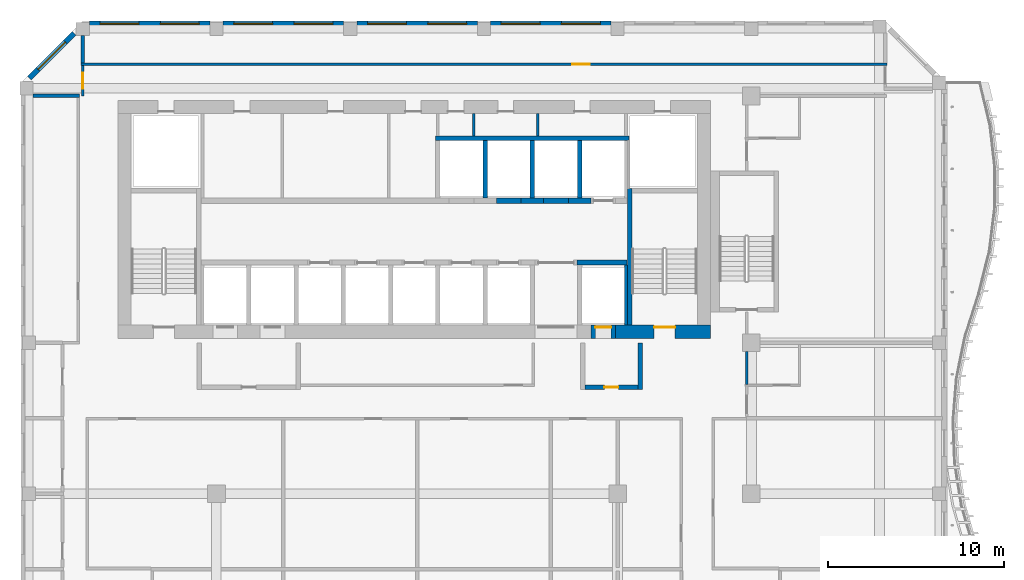
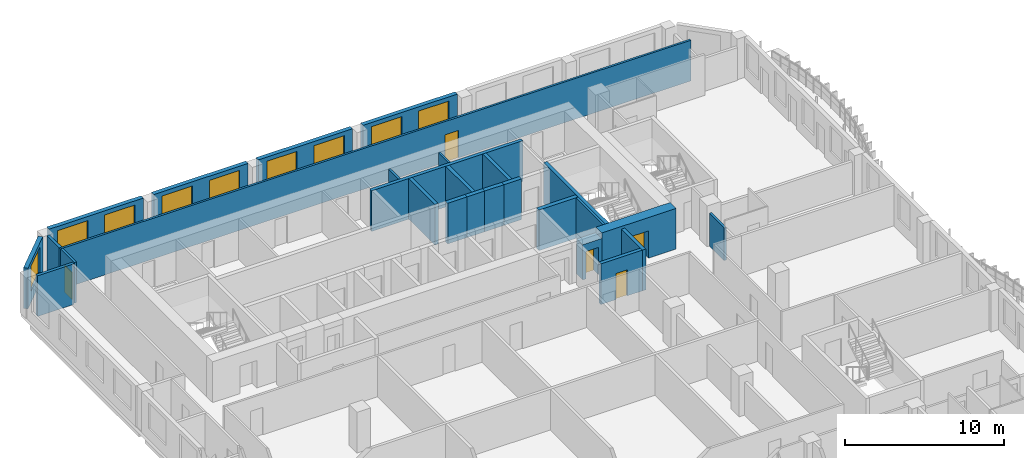
# One storey, part 8 of 22: 27 walls, 9 windows, 5 doors, 14 openings.
"""IFC4 building model written with IfcOpenShell, lengths in metres."""

from ifc_helpers import new_model, si_unit, direction, frame, frame_2d, origin, place, context, subcontext, project, spatial, rectangle, extrude, source, transform, mapped, material, layer, layer_set, type_object, element, fill, save


model = new_model("IFC4")

# Units and contexts
model_context = context("Model", 3, precision=1e-05, world=origin(), true_north=direction((0.0, 1.0)))
body_context = subcontext(model_context, "Body", "Model", "MODEL_VIEW")
ifc_project = project(units=[si_unit("LENGTHUNIT", "METRE"), si_unit("AREAUNIT", "SQUARE_METRE"), si_unit("VOLUMEUNIT", "CUBIC_METRE"), si_unit("PLANEANGLEUNIT", "RADIAN"), si_unit("MASSUNIT", "GRAM", prefix="KILO")], contexts=[model_context])

# Site, building, storey
site_placement = place(None, origin())
site = spatial("IfcSite", under=ifc_project, at=site_placement, CompositionType="ELEMENT")
building_placement = place(site_placement, origin())
building = spatial("IfcBuilding", under=site, at=building_placement, Name="Kilnfold Tower and Market Hall", CompositionType="ELEMENT")
storey_placement = place(building_placement, frame((0.0, 0.0, 213.5)))
storey = spatial("IfcBuildingStorey", under=building, at=storey_placement, Name="L52", CompositionType="ELEMENT", Elevation=213.5)

# Wall, opening, door
ifc_material_1 = material(Name="Gypsum board on steel studs", Category="steel")
ifc_layer_1 = layer(ifc_material_1, 0.14990234375)
ifc_layer_set_1 = layer_set([ifc_layer_1], Name="Gypsum board on steel studs")
wall_type_1 = type_object("IfcWallType", Name="WALL CORRIDOR 150", PredefinedType="PARTITIONING", material=ifc_layer_set_1)
wall_1_placement = place(storey_placement, frame((-17.75, 23.72509765625, 0.0), z_axis=(0.0, 0.0, 1.0), x_axis=(0.0, -1.0, 0.0)))
wall_1 = element("IfcWall", 1, at=wall_1_placement, inside=storey, type_object=wall_type_1, Name="Partition LY31.17", PredefinedType="PARTITIONING", context=body_context, shape_type="SweptSolid", body=[
    extrude(rectangle(XDim=1.72509765625, YDim=0.14990234375, at=frame_2d((0.862548828125, 0.0))), origin(), (0.0, 0.0, 1.0), 3.1201171875),
])
opening_1_placement = place(wall_1_placement, frame((0.4130859375, 0.0, 0.0)))
opening_1 = element("IfcOpeningElement", 2, at=opening_1_placement, cuts=wall_1, Name="Opening D2", PredefinedType="OPENING", context=body_context, shape_type="SweptSolid", body=[
    extrude(rectangle(XDim=0.89990234375, YDim=2.10009765625, at=frame_2d((0.449951171875, 1.050048828125))), frame((0.0, 0.0849609375, 0.0), z_axis=(0.0, -1.0, 0.0), x_axis=(1.0, 0.0, 0.0)), (0.0, 0.0, 1.0), 0.169921875),
])
ifc_material_2 = material(Name="Timber veneer door leaf in steel frame", Category="steel")
door_type_1 = type_object("IfcDoorType", Name="DOOR ROOM 900 X2100", OperationType="NOTDEFINED", PredefinedType="DOOR", material=ifc_material_2)
door_1_placement = place(opening_1_placement, origin())
door_1 = element("IfcDoor", 3, at=door_1_placement, inside=storey, type_object=door_type_1, Name="Door D2", OperationType="SINGLE_SWING_LEFT", OverallHeight=2.10009765625, OverallWidth=0.89990234375, PredefinedType="DOOR", context=body_context, shape_type="SweptSolid", body=[
    extrude(rectangle(XDim=0.89990234375, YDim=2.10009765625, at=frame_2d((0.449951171875, 1.050048828125))), frame((0.0, 0.02490234375, 0.0), z_axis=(0.0, -1.0, 0.0), x_axis=(1.0, 0.0, 0.0)), (0.0, 0.0, 1.0), 0.050048828125),
])
fill(opening_1, door_1)

# Wall
wall_2_placement = place(storey_placement, frame((19.89990234375, 5.639892578125, 0.0), z_axis=(0.0, 0.0, 1.0), x_axis=(0.0, 1.0, 0.0)))
element("IfcWall", 4, at=wall_2_placement, inside=storey, type_object=wall_type_1, Name="Partition LY31.19", PredefinedType="PARTITIONING", context=body_context, shape_type="SweptSolid", body=[
    extrude(rectangle(XDim=1.860107421875, YDim=0.14990234375, at=frame_2d((0.93017578125, 0.0))), origin(), (0.0, 0.0, 1.0), 2.52001953125),
])

# Wall, opening, door
wall_3_placement = place(storey_placement, frame((27.85009765625, 23.800048828125, 0.0), z_axis=(0.0, 0.0, 1.0), x_axis=(-1.0, 0.0, 0.0)))
wall_3 = element("IfcWall", 5, at=wall_3_placement, inside=storey, type_object=wall_type_1, Name="Partition LY31.31", PredefinedType="PARTITIONING", context=body_context, shape_type="SweptSolid", body=[
    extrude(rectangle(XDim=45.7001953125, YDim=0.14990234375, at=frame_2d((22.85009765625, 0.0))), origin(), (0.0, 0.0, 1.0), 3.1201171875),
])
opening_2_placement = place(wall_3_placement, frame((16.837890625, 0.0, 0.0)))
opening_2 = element("IfcOpeningElement", 6, at=opening_2_placement, cuts=wall_3, Name="Opening D4", PredefinedType="OPENING", context=body_context, shape_type="SweptSolid", body=[
    extrude(rectangle(XDim=1.0, YDim=2.10009765625, at=frame_2d((0.5, 1.050048828125))), frame((0.0, 0.0849609375, 0.0), z_axis=(0.0, -1.0, 0.0), x_axis=(1.0, 0.0, 0.0)), (0.0, 0.0, 1.0), 0.169921875),
])
ifc_material_3 = material(Name="Timber veneer door leaf in steel frame", Category="steel")
door_type_2 = type_object("IfcDoorType", Name="DOOR SERVICE 1000 X2100", OperationType="NOTDEFINED", PredefinedType="DOOR", material=ifc_material_3)
door_2_placement = place(opening_2_placement, origin())
door_2 = element("IfcDoor", 7, at=door_2_placement, inside=storey, type_object=door_type_2, Name="Door D4", OperationType="SINGLE_SWING_LEFT", OverallHeight=2.10009765625, OverallWidth=1.0, PredefinedType="DOOR", context=body_context, shape_type="SweptSolid", body=[
    extrude(rectangle(XDim=1.0, YDim=2.10009765625, at=frame_2d((0.5, 1.050048828125))), frame((0.0, 0.02490234375, 0.0), z_axis=(0.0, -1.0, 0.0), x_axis=(1.0, 0.0, 0.0)), (0.0, 0.0, 1.0), 0.050048828125),
])
fill(opening_2, door_2)

# Walls
ifc_material_4 = material(Name="Gypsum board on steel studs", Category="steel")
ifc_layer_2 = layer(ifc_material_4, 0.199951171875)
ifc_layer_set_2 = layer_set([ifc_layer_2], Name="Gypsum board on steel studs")
wall_type_2 = type_object("IfcWallType", Name="WALL PARTY 200", PredefinedType="PARTITIONING", material=ifc_layer_set_2)
wall_4_placement = place(storey_placement, frame((-17.927001953125, 22.0, 0.0), z_axis=(0.0, 0.0, 1.0), x_axis=(-1.0, 0.0, 0.0)))
element("IfcWall", 8, at=wall_4_placement, inside=storey, type_object=wall_type_2, Name="Partition LY31.78", PredefinedType="PARTITIONING", context=body_context, shape_type="SweptSolid", body=[
    extrude(rectangle(XDim=2.6298828125, YDim=0.199951171875, at=frame_2d((1.31494140625, 0.0))), origin(), (0.0, 0.0, 1.0), 3.1201171875),
])
wall_5_placement = place(storey_placement, frame((-17.75, 23.876953125, 0.0), z_axis=(0.0, 0.0, 1.0), x_axis=(0.0, 1.0, 0.0)))
element("IfcWall", 9, at=wall_5_placement, inside=storey, type_object=wall_type_2, Name="Partition LY31.84", PredefinedType="PARTITIONING", context=body_context, shape_type="SweptSolid", body=[
    extrude(rectangle(XDim=1.548095703125, YDim=0.199951171875, at=frame_2d((0.77392578125, 0.0))), origin(), (0.0, 0.0, 1.0), 3.1201171875),
])
ifc_material_5 = material(Name="Concrete C60", Category="concrete")
ifc_layer_3 = layer(ifc_material_5, 0.25)
ifc_layer_set_3 = layer_set([ifc_layer_3], Name="Concrete C60")
wall_type_3 = type_object("IfcWallType", Name="CORE WALL 250 C60", PredefinedType="SHEAR", material=ifc_layer_set_3)
shared_shape_1 = source(origin(), body_context, "Body", "SweptSolid", [
    extrude(rectangle(XDim=7.75, YDim=0.25, at=frame_2d((3.875, 0.0))), origin(), (0.0, 0.0, 1.0), 3.1201171875),
])
wall_6_placement = place(storey_placement, frame((13.27490234375, 9.0, 0.0), z_axis=(0.0, 0.0, 1.0), x_axis=(0.0, 1.0, 0.0)))
element("IfcWall", 10, at=wall_6_placement, inside=storey, type_object=wall_type_3, Name="Stair enclosure ST2", PredefinedType="SHEAR", context=body_context, shape_type="MappedRepresentation", body=[
    mapped(shared_shape_1, transform((0.0, 0.0, 0.0))),
])
ifc_material_6 = material(Name="Concrete C60", Category="concrete")
ifc_layer_4 = layer(ifc_material_6, 0.300048828125)
ifc_layer_set_4 = layer_set([ifc_layer_4], Name="Concrete C60")
wall_type_4 = type_object("IfcWallType", Name="CORE WALL 300 C60", PredefinedType="SHEAR", material=ifc_layer_set_4)
shared_shape_2 = source(origin(), body_context, "Body", "SweptSolid", [
    extrude(rectangle(XDim=1.280029296875, YDim=0.300048828125, at=frame_2d((0.64013671875, 0.0))), origin(), (0.0, 0.0, 1.0), 3.1201171875),
])
wall_7_placement = place(storey_placement, frame((9.7900390625, 16.050048828125, 0.0), z_axis=(0.0, 0.0, 1.0), x_axis=(1.0, 0.0, 0.0)))
element("IfcWall", 11, at=wall_7_placement, inside=storey, type_object=wall_type_4, Name="Core spine wall", PredefinedType="SHEAR", context=body_context, shape_type="MappedRepresentation", body=[
    mapped(shared_shape_2, transform((0.0, 0.0, 0.0))),
])
shared_shape_3 = source(origin(), body_context, "Body", "SweptSolid", [
    extrude(rectangle(XDim=2.820068359375, YDim=0.300048828125, at=frame_2d((1.41015625, 0.0))), origin(), (0.0, 0.0, 1.0), 3.1201171875),
])
wall_8_placement = place(storey_placement, frame((10.2900390625, 12.550048828125, 0.0), z_axis=(0.0, 0.0, 1.0), x_axis=(1.0, 0.0, 0.0)))
element("IfcWall", 12, at=wall_8_placement, inside=storey, type_object=wall_type_4, Name="Core spine wall", PredefinedType="SHEAR", context=body_context, shape_type="MappedRepresentation", body=[
    mapped(shared_shape_3, transform((0.0, 0.0, 0.0))),
])
shared_shape_4 = source(origin(), body_context, "Body", "SweptSolid", [
    extrude(rectangle(XDim=1.27978515625, YDim=0.300048828125, at=frame_2d((0.639892578125, 0.0))), origin(), (0.0, 0.0, 1.0), 3.1201171875),
])
wall_9_placement = place(storey_placement, frame((7.110107421875, 16.050048828125, 0.0), z_axis=(0.0, 0.0, 1.0), x_axis=(1.0, 0.0, 0.0)))
element("IfcWall", 13, at=wall_9_placement, inside=storey, type_object=wall_type_4, Name="Core spine wall", PredefinedType="SHEAR", context=body_context, shape_type="MappedRepresentation", body=[
    mapped(shared_shape_4, transform((0.0, 0.0, 0.0))),
])

# Wall, opening, door
ifc_material_7 = material(Name="Concrete C60", Category="concrete")
ifc_layer_5 = layer(ifc_material_7, 0.75)
ifc_layer_set_5 = layer_set([ifc_layer_5], Name="Concrete C60")
wall_type_5 = type_object("IfcWallType", Name="CORE WALL 750 C60", PredefinedType="SHEAR", material=ifc_layer_set_5)
shared_shape_5 = source(origin(), body_context, "Body", "SweptSolid", [
    extrude(rectangle(XDim=5.380126953125, YDim=0.75, at=frame_2d((2.68994140625, 0.0))), origin(), (0.0, 0.0, 1.0), 3.1201171875),
])
wall_10_placement = place(storey_placement, frame((12.469970703125, 8.625, 0.0), z_axis=(0.0, 0.0, 1.0), x_axis=(1.0, 0.0, 0.0)))
wall_10 = element("IfcWall", 14, at=wall_10_placement, inside=storey, type_object=wall_type_5, Name="Core outer wall south", PredefinedType="SHEAR", context=body_context, shape_type="MappedRepresentation", body=[
    mapped(shared_shape_5, transform((0.0, 0.0, 0.0))),
])
opening_3_placement = place(wall_10_placement, frame((2.179931640625, 0.0, 0.0)))
opening_3 = element("IfcOpeningElement", 15, at=opening_3_placement, cuts=wall_10, Name="Opening SD1", PredefinedType="OPENING", context=body_context, shape_type="SweptSolid", body=[
    extrude(rectangle(XDim=1.199951171875, YDim=2.10009765625, at=frame_2d((0.60009765625, 1.050048828125))), frame((0.0, 0.385009765625, 0.0), z_axis=(0.0, -1.0, 0.0), x_axis=(1.0, 0.0, 0.0)), (0.0, 0.0, 1.0), 0.77001953125),
])
ifc_material_8 = material(Name="Steel door set with fire-resisting leaf", Category="steel")
door_type_3 = type_object("IfcDoorType", Name="STAIR FLOOR DOOR 1200X2100", OperationType="NOTDEFINED", PredefinedType="DOOR", material=ifc_material_8)
door_3_placement = place(opening_3_placement, origin())
door_3 = element("IfcDoor", 16, at=door_3_placement, inside=storey, type_object=door_type_3, Name="Exit stair ST2 door", OperationType="DOUBLE_DOOR_SINGLE_SWING", OverallHeight=2.10009765625, OverallWidth=1.199951171875, PredefinedType="DOOR", context=body_context, shape_type="SweptSolid", body=[
    extrude(rectangle(XDim=1.199951171875, YDim=2.10009765625, at=frame_2d((0.60009765625, 1.050048828125))), frame((0.0, 0.27978515625, 0.0), z_axis=(0.0, -1.0, 0.0), x_axis=(1.0, 0.0, 0.0)), (0.0, 0.0, 1.0), 0.050048828125),
])
fill(opening_3, door_3)

# Wall, openings, windows
ifc_material_9 = material(Name="Precast concrete C50/60", Category="concrete")
ifc_layer_6 = layer(ifc_material_9, 0.300048828125)
ifc_layer_set_6 = layer_set([ifc_layer_6], Name="Precast concrete C50/60")
wall_type_6 = type_object("IfcWallType", Name="PRECAST WALL 300", PredefinedType="SOLIDWALL", material=ifc_layer_set_6)
shared_shape_6 = source(origin(), body_context, "Body", "SweptSolid", [
    extrude(rectangle(XDim=6.833251953125, YDim=0.300048828125, at=frame_2d((3.41650390625, 0.0))), origin(), (0.0, 0.0, 1.0), 3.1201171875),
])
wall_11_placement = place(storey_placement, frame((12.208251953125, 26.10009765625, 0.0), z_axis=(0.0, 0.0, 1.0), x_axis=(-1.0, 0.0, 0.0)))
wall_11 = element("IfcWall", 17, at=wall_11_placement, inside=storey, type_object=wall_type_6, Name="External wall L52 N", PredefinedType="SOLIDWALL", context=body_context, shape_type="MappedRepresentation", body=[
    mapped(shared_shape_6, transform((0.0, 0.0, 0.0))),
])
opening_4_placement = place(wall_11_placement, frame((0.6083984375, 0.0, 0.85009765625)))
opening_4 = element("IfcOpeningElement", 18, at=opening_4_placement, cuts=wall_11, Name="Opening W2", PredefinedType="OPENING", context=body_context, shape_type="SweptSolid", body=[
    extrude(rectangle(XDim=2.199951171875, YDim=1.949951171875, at=frame_2d((1.10009765625, 0.97509765625))), frame((0.0, 0.16015625, 0.0), z_axis=(0.0, -1.0, 0.0), x_axis=(1.0, 0.0, 0.0)), (0.0, 0.0, 1.0), 0.320068359375),
])
opening_5_placement = place(wall_11_placement, frame((4.02490234375, 0.0, 0.85009765625)))
opening_5 = element("IfcOpeningElement", 19, at=opening_5_placement, cuts=wall_11, Name="Opening W2", PredefinedType="OPENING", context=body_context, shape_type="SweptSolid", body=[
    extrude(rectangle(XDim=2.199951171875, YDim=1.949951171875, at=frame_2d((1.10009765625, 0.97509765625))), frame((0.0, 0.16015625, 0.0), z_axis=(0.0, -1.0, 0.0), x_axis=(1.0, 0.0, 0.0)), (0.0, 0.0, 1.0), 0.320068359375),
])
ifc_material_10 = material(Name="Aluminium frame and double glazing", Category="aluminium")
window_type = type_object("IfcWindowType", Name="WINDOW W2 2200X1950", PartitioningType="SINGLE_PANEL", PredefinedType="WINDOW", material=ifc_material_10)
window_1_placement = place(opening_4_placement, origin())
window_1 = element("IfcWindow", 20, at=window_1_placement, inside=storey, type_object=window_type, Name="Window W2 L52 N-1", OverallHeight=1.949951171875, OverallWidth=2.199951171875, PartitioningType="SINGLE_PANEL", PredefinedType="WINDOW", context=body_context, shape_type="SweptSolid", body=[
    extrude(rectangle(XDim=2.199951171875, YDim=1.949951171875, at=frame_2d((1.10009765625, 0.97509765625))), frame((0.0, 0.030029296875, 0.0), z_axis=(0.0, -1.0, 0.0), x_axis=(1.0, 0.0, 0.0)), (0.0, 0.0, 1.0), 0.06005859375),
])
fill(opening_4, window_1)
window_2_placement = place(opening_5_placement, origin())
window_2 = element("IfcWindow", 21, at=window_2_placement, inside=storey, type_object=window_type, Name="Window W2 L52 N-2", OverallHeight=1.949951171875, OverallWidth=2.199951171875, PartitioningType="SINGLE_PANEL", PredefinedType="WINDOW", context=body_context, shape_type="SweptSolid", body=[
    extrude(rectangle(XDim=2.199951171875, YDim=1.949951171875, at=frame_2d((1.10009765625, 0.97509765625))), frame((0.0, 0.030029296875, 0.0), z_axis=(0.0, -1.0, 0.0), x_axis=(1.0, 0.0, 0.0)), (0.0, 0.0, 1.0), 0.06005859375),
])
fill(opening_5, window_2)

wall_12_placement = place(storey_placement, frame((4.625, 26.10009765625, 0.0), z_axis=(0.0, 0.0, 1.0), x_axis=(-1.0, 0.0, 0.0)))
wall_12 = element("IfcWall", 22, at=wall_12_placement, inside=storey, type_object=wall_type_6, Name="External wall L52 N", PredefinedType="SOLIDWALL", context=body_context, shape_type="MappedRepresentation", body=[
    mapped(shared_shape_6, transform((0.0, 0.0, 0.0))),
])
opening_6_placement = place(wall_12_placement, frame((0.6083984375, 0.0, 0.85009765625)))
opening_6 = element("IfcOpeningElement", 23, at=opening_6_placement, cuts=wall_12, Name="Opening W2", PredefinedType="OPENING", context=body_context, shape_type="SweptSolid", body=[
    extrude(rectangle(XDim=2.199951171875, YDim=1.949951171875, at=frame_2d((1.10009765625, 0.97509765625))), frame((0.0, 0.16015625, 0.0), z_axis=(0.0, -1.0, 0.0), x_axis=(1.0, 0.0, 0.0)), (0.0, 0.0, 1.0), 0.320068359375),
])
opening_7_placement = place(wall_12_placement, frame((4.02490234375, 0.0, 0.85009765625)))
opening_7 = element("IfcOpeningElement", 24, at=opening_7_placement, cuts=wall_12, Name="Opening W2", PredefinedType="OPENING", context=body_context, shape_type="SweptSolid", body=[
    extrude(rectangle(XDim=2.199951171875, YDim=1.949951171875, at=frame_2d((1.10009765625, 0.97509765625))), frame((0.0, 0.16015625, 0.0), z_axis=(0.0, -1.0, 0.0), x_axis=(1.0, 0.0, 0.0)), (0.0, 0.0, 1.0), 0.320068359375),
])
window_3_placement = place(opening_6_placement, origin())
window_3 = element("IfcWindow", 25, at=window_3_placement, inside=storey, type_object=window_type, Name="Window W2 L52 N-1", OverallHeight=1.949951171875, OverallWidth=2.199951171875, PartitioningType="SINGLE_PANEL", PredefinedType="WINDOW", context=body_context, shape_type="SweptSolid", body=[
    extrude(rectangle(XDim=2.199951171875, YDim=1.949951171875, at=frame_2d((1.10009765625, 0.97509765625))), frame((0.0, 0.030029296875, 0.0), z_axis=(0.0, -1.0, 0.0), x_axis=(1.0, 0.0, 0.0)), (0.0, 0.0, 1.0), 0.06005859375),
])
fill(opening_6, window_3)
window_4_placement = place(opening_7_placement, origin())
window_4 = element("IfcWindow", 26, at=window_4_placement, inside=storey, type_object=window_type, Name="Window W2 L52 N-2", OverallHeight=1.949951171875, OverallWidth=2.199951171875, PartitioningType="SINGLE_PANEL", PredefinedType="WINDOW", context=body_context, shape_type="SweptSolid", body=[
    extrude(rectangle(XDim=2.199951171875, YDim=1.949951171875, at=frame_2d((1.10009765625, 0.97509765625))), frame((0.0, 0.030029296875, 0.0), z_axis=(0.0, -1.0, 0.0), x_axis=(1.0, 0.0, 0.0)), (0.0, 0.0, 1.0), 0.06005859375),
])
fill(opening_7, window_4)

wall_13_placement = place(storey_placement, frame((-10.541748046875, 26.10009765625, 0.0), z_axis=(0.0, 0.0, 1.0), x_axis=(-1.0, 0.0, 0.0)))
wall_13 = element("IfcWall", 27, at=wall_13_placement, inside=storey, type_object=wall_type_6, Name="External wall L52 N", PredefinedType="SOLIDWALL", context=body_context, shape_type="MappedRepresentation", body=[
    mapped(shared_shape_6, transform((0.0, 0.0, 0.0))),
])
opening_8_placement = place(wall_13_placement, frame((0.6083984375, 0.0, 0.85009765625)))
opening_8 = element("IfcOpeningElement", 28, at=opening_8_placement, cuts=wall_13, Name="Opening W2", PredefinedType="OPENING", context=body_context, shape_type="SweptSolid", body=[
    extrude(rectangle(XDim=2.199951171875, YDim=1.949951171875, at=frame_2d((1.10009765625, 0.97509765625))), frame((0.0, 0.16015625, 0.0), z_axis=(0.0, -1.0, 0.0), x_axis=(1.0, 0.0, 0.0)), (0.0, 0.0, 1.0), 0.320068359375),
])
opening_9_placement = place(wall_13_placement, frame((4.02490234375, 0.0, 0.85009765625)))
opening_9 = element("IfcOpeningElement", 29, at=opening_9_placement, cuts=wall_13, Name="Opening W2", PredefinedType="OPENING", context=body_context, shape_type="SweptSolid", body=[
    extrude(rectangle(XDim=2.199951171875, YDim=1.949951171875, at=frame_2d((1.10009765625, 0.97509765625))), frame((0.0, 0.16015625, 0.0), z_axis=(0.0, -1.0, 0.0), x_axis=(1.0, 0.0, 0.0)), (0.0, 0.0, 1.0), 0.320068359375),
])
window_5_placement = place(opening_8_placement, origin())
window_5 = element("IfcWindow", 30, at=window_5_placement, inside=storey, type_object=window_type, Name="Window W2 L52 N-1", OverallHeight=1.949951171875, OverallWidth=2.199951171875, PartitioningType="SINGLE_PANEL", PredefinedType="WINDOW", context=body_context, shape_type="SweptSolid", body=[
    extrude(rectangle(XDim=2.199951171875, YDim=1.949951171875, at=frame_2d((1.10009765625, 0.97509765625))), frame((0.0, 0.030029296875, 0.0), z_axis=(0.0, -1.0, 0.0), x_axis=(1.0, 0.0, 0.0)), (0.0, 0.0, 1.0), 0.06005859375),
])
fill(opening_8, window_5)
window_6_placement = place(opening_9_placement, origin())
window_6 = element("IfcWindow", 31, at=window_6_placement, inside=storey, type_object=window_type, Name="Window W2 L52 N-2", OverallHeight=1.949951171875, OverallWidth=2.199951171875, PartitioningType="SINGLE_PANEL", PredefinedType="WINDOW", context=body_context, shape_type="SweptSolid", body=[
    extrude(rectangle(XDim=2.199951171875, YDim=1.949951171875, at=frame_2d((1.10009765625, 0.97509765625))), frame((0.0, 0.030029296875, 0.0), z_axis=(0.0, -1.0, 0.0), x_axis=(1.0, 0.0, 0.0)), (0.0, 0.0, 1.0), 0.06005859375),
])
fill(opening_9, window_6)

shared_shape_7 = source(origin(), body_context, "Body", "SweptSolid", [
    extrude(rectangle(XDim=6.83349609375, YDim=0.300048828125, at=frame_2d((3.416748046875, 0.0))), origin(), (0.0, 0.0, 1.0), 3.1201171875),
])
wall_14_placement = place(storey_placement, frame((-2.958251953125, 26.10009765625, 0.0), z_axis=(0.0, 0.0, 1.0), x_axis=(-1.0, 0.0, 0.0)))
wall_14 = element("IfcWall", 32, at=wall_14_placement, inside=storey, type_object=wall_type_6, Name="External wall L52 N", PredefinedType="SOLIDWALL", context=body_context, shape_type="MappedRepresentation", body=[
    mapped(shared_shape_7, transform((0.0, 0.0, 0.0))),
])
opening_10_placement = place(wall_14_placement, frame((0.6083984375, 0.0, 0.85009765625)))
opening_10 = element("IfcOpeningElement", 33, at=opening_10_placement, cuts=wall_14, Name="Opening W2", PredefinedType="OPENING", context=body_context, shape_type="SweptSolid", body=[
    extrude(rectangle(XDim=2.199951171875, YDim=1.949951171875, at=frame_2d((1.10009765625, 0.97509765625))), frame((0.0, 0.16015625, 0.0), z_axis=(0.0, -1.0, 0.0), x_axis=(1.0, 0.0, 0.0)), (0.0, 0.0, 1.0), 0.320068359375),
])
opening_11_placement = place(wall_14_placement, frame((4.02490234375, 0.0, 0.85009765625)))
opening_11 = element("IfcOpeningElement", 34, at=opening_11_placement, cuts=wall_14, Name="Opening W2", PredefinedType="OPENING", context=body_context, shape_type="SweptSolid", body=[
    extrude(rectangle(XDim=2.199951171875, YDim=1.949951171875, at=frame_2d((1.10009765625, 0.97509765625))), frame((0.0, 0.16015625, 0.0), z_axis=(0.0, -1.0, 0.0), x_axis=(1.0, 0.0, 0.0)), (0.0, 0.0, 1.0), 0.320068359375),
])
window_7_placement = place(opening_10_placement, origin())
window_7 = element("IfcWindow", 35, at=window_7_placement, inside=storey, type_object=window_type, Name="Window W2 L52 N-1", OverallHeight=1.949951171875, OverallWidth=2.199951171875, PartitioningType="SINGLE_PANEL", PredefinedType="WINDOW", context=body_context, shape_type="SweptSolid", body=[
    extrude(rectangle(XDim=2.199951171875, YDim=1.949951171875, at=frame_2d((1.10009765625, 0.97509765625))), frame((0.0, 0.030029296875, 0.0), z_axis=(0.0, -1.0, 0.0), x_axis=(1.0, 0.0, 0.0)), (0.0, 0.0, 1.0), 0.06005859375),
])
fill(opening_10, window_7)
window_8_placement = place(opening_11_placement, origin())
window_8 = element("IfcWindow", 36, at=window_8_placement, inside=storey, type_object=window_type, Name="Window W2 L52 N-2", OverallHeight=1.949951171875, OverallWidth=2.199951171875, PartitioningType="SINGLE_PANEL", PredefinedType="WINDOW", context=body_context, shape_type="SweptSolid", body=[
    extrude(rectangle(XDim=2.199951171875, YDim=1.949951171875, at=frame_2d((1.10009765625, 0.97509765625))), frame((0.0, 0.030029296875, 0.0), z_axis=(0.0, -1.0, 0.0), x_axis=(1.0, 0.0, 0.0)), (0.0, 0.0, 1.0), 0.06005859375),
])
fill(opening_11, window_8)

# Wall, opening, window
shared_shape_8 = source(origin(), body_context, "Body", "SweptSolid", [
    extrude(rectangle(XDim=3.571044921875, YDim=0.300048828125, at=frame_2d((1.78564453125, 0.0))), origin(), (0.0, 0.0, 1.0), 3.1201171875),
])
wall_15_placement = place(storey_placement, frame((-18.243896484375, 25.5439453125, 0.0), z_axis=(0.0, 0.0, 1.0), x_axis=(-0.707072595841, -0.707140964879, 0.0)))
wall_15 = element("IfcWall", 37, at=wall_15_placement, inside=storey, type_object=wall_type_6, Name="External wall L52 NW", PredefinedType="SOLIDWALL", context=body_context, shape_type="MappedRepresentation", body=[
    mapped(shared_shape_8, transform((0.0, 0.0, 0.0))),
])
opening_12_placement = place(wall_15_placement, frame((0.685546875, 0.0, 0.85009765625)))
opening_12 = element("IfcOpeningElement", 38, at=opening_12_placement, cuts=wall_15, Name="Opening W2", PredefinedType="OPENING", context=body_context, shape_type="SweptSolid", body=[
    extrude(rectangle(XDim=2.199951171875, YDim=1.949951171875, at=frame_2d((1.10009765625, 0.97509765625))), frame((0.0, 0.16015625, 0.0), z_axis=(0.0, -1.0, 0.0), x_axis=(1.0, 0.0, 0.0)), (0.0, 0.0, 1.0), 0.320068359375),
])
window_9_placement = place(opening_12_placement, origin())
window_9 = element("IfcWindow", 39, at=window_9_placement, inside=storey, type_object=window_type, Name="Window W2 L52 NW-1", OverallHeight=1.949951171875, OverallWidth=2.199951171875, PartitioningType="SINGLE_PANEL", PredefinedType="WINDOW", context=body_context, shape_type="SweptSolid", body=[
    extrude(rectangle(XDim=2.199951171875, YDim=1.949951171875, at=frame_2d((1.10009765625, 0.97509765625))), frame((0.0, 0.030029296875, 0.0), z_axis=(0.0, -1.0, 0.0), x_axis=(1.0, 0.0, 0.0)), (0.0, 0.0, 1.0), 0.06005859375),
])
fill(opening_12, window_9)

# Walls
ifc_material_11 = material(Name="Gypsum shaft wall system")
ifc_layer_7 = layer(ifc_material_11, 0.300048828125)
ifc_layer_set_7 = layer_set([ifc_layer_7], Name="Gypsum shaft wall system")
wall_type_7 = type_object("IfcWallType", Name="SHAFT WALL 300", PredefinedType="PARTITIONING", material=ifc_layer_set_7)
shared_shape_9 = source(origin(), body_context, "Body", "SweptSolid", [
    extrude(rectangle(XDim=1.400146484375, YDim=0.300048828125, at=frame_2d((0.7001953125, 0.0))), origin(), (0.0, 0.0, 1.0), 3.1201171875),
])
for number, where, z_axis, x_axis, name in (
    (40, (5.7099609375, 16.050048828125, 0.0), (0.0, 0.0, 1.0), (1.0, 0.0, 0.0), "Lift shaft front wall"),
    (41, (8.389892578125, 16.050048828125, 0.0), (0.0, 0.0, 1.0), (1.0, 0.0, 0.0), "Lift shaft front wall"),
):
    element("IfcWall", number, at=place(storey_placement, frame(where, z_axis=z_axis, x_axis=x_axis)), inside=storey, type_object=wall_type_7, Name=name, PredefinedType="PARTITIONING", context=body_context, shape_type="MappedRepresentation", body=[
        mapped(shared_shape_9, transform((0.0, 0.0, 0.0))),
    ])
ifc_material_12 = material(Name="Gypsum shaft wall system")
ifc_layer_8 = layer(ifc_material_12, 0.25)
ifc_layer_set_8 = layer_set([ifc_layer_8], Name="Gypsum shaft wall system")
wall_type_8 = type_object("IfcWallType", Name="LOBBY WALL 250", PredefinedType="PARTITIONING", material=ifc_layer_set_8)
shared_shape_10 = source(origin(), body_context, "Body", "SweptSolid", [
    extrude(rectangle(XDim=2.64990234375, YDim=0.25, at=frame_2d((1.324951171875, 0.0))), origin(), (0.0, 0.0, 1.0), 3.1201171875),
])
wall_16_placement = place(storey_placement, frame((13.85498046875, 5.35009765625, 0.0), z_axis=(0.0, 0.0, 1.0), x_axis=(0.0, 1.0, 0.0)))
element("IfcWall", 42, at=wall_16_placement, inside=storey, type_object=wall_type_8, Name="Firefighting lobby wall", PredefinedType="PARTITIONING", context=body_context, shape_type="MappedRepresentation", body=[
    mapped(shared_shape_10, transform((0.0, 0.0, 0.0))),
])

# Wall, opening, door
shared_shape_11 = source(origin(), body_context, "Body", "SweptSolid", [
    extrude(rectangle(XDim=3.0, YDim=0.25, at=frame_2d((1.5, 0.0))), origin(), (0.0, 0.0, 1.0), 3.1201171875),
])
wall_17_placement = place(storey_placement, frame((10.72998046875, 5.47509765625, 0.0), z_axis=(0.0, 0.0, 1.0), x_axis=(1.0, 0.0, 0.0)))
wall_17 = element("IfcWall", 43, at=wall_17_placement, inside=storey, type_object=wall_type_8, Name="Firefighting lobby wall", PredefinedType="PARTITIONING", context=body_context, shape_type="MappedRepresentation", body=[
    mapped(shared_shape_11, transform((0.0, 0.0, 0.0))),
])
opening_13_placement = place(wall_17_placement, frame((1.10009765625, 0.0, 0.0)))
opening_13 = element("IfcOpeningElement", 44, at=opening_13_placement, cuts=wall_17, Name="Opening VD1", PredefinedType="OPENING", context=body_context, shape_type="SweptSolid", body=[
    extrude(rectangle(XDim=0.800048828125, YDim=2.0, at=frame_2d((0.39990234375, 1.0))), frame((0.0, 0.135009765625, 0.0), z_axis=(0.0, -1.0, 0.0), x_axis=(1.0, 0.0, 0.0)), (0.0, 0.0, 1.0), 0.27001953125),
])
ifc_material_13 = material(Name="Steel door set with fire-resisting leaf", Category="steel")
door_type_4 = type_object("IfcDoorType", Name="FIREFIGHTING LOBBY DOOR 800X2000", OperationType="NOTDEFINED", PredefinedType="DOOR", material=ifc_material_13)
door_4_placement = place(opening_13_placement, origin())
door_4 = element("IfcDoor", 45, at=door_4_placement, inside=storey, type_object=door_type_4, Name="Firefighting lobby door", OperationType="SINGLE_SWING_RIGHT", OverallHeight=2.0, OverallWidth=0.800048828125, PredefinedType="DOOR", context=body_context, shape_type="SweptSolid", body=[
    extrude(rectangle(XDim=0.800048828125, YDim=2.0, at=frame_2d((0.39990234375, 1.0))), frame((0.0, 0.02490234375, 0.0), z_axis=(0.0, -1.0, 0.0), x_axis=(1.0, 0.0, 0.0)), (0.0, 0.0, 1.0), 0.050048828125),
])
fill(opening_13, door_4)

# Walls
ifc_material_14 = material(Name="Gypsum shaft wall system")
ifc_layer_9 = layer(ifc_material_14, 0.25)
ifc_layer_set_9 = layer_set([ifc_layer_9], Name="Gypsum shaft wall system")
wall_type_9 = type_object("IfcWallType", Name="SHAFT WALL 250", PredefinedType="PARTITIONING", material=ifc_layer_set_9)
shared_shape_12 = source(origin(), body_context, "Body", "SweptSolid", [
    extrude(rectangle(XDim=3.275146484375, YDim=0.25, at=frame_2d((1.6376953125, 0.0))), origin(), (0.0, 0.0, 1.0), 3.1201171875),
])
for number, where, z_axis, x_axis, name in (
    (46, (10.429931640625, 16.199951171875, 0.0), (0.0, 0.0, 1.0), (0.0, 1.0, 0.0), "Lift shaft wall"),
    (47, (5.070068359375, 16.199951171875, 0.0), (0.0, 0.0, 1.0), (0.0, 1.0, 0.0), "Lift shaft wall"),
    (48, (7.75, 16.199951171875, 0.0), (0.0, 0.0, 1.0), (0.0, 1.0, 0.0), "Lift shaft wall"),
):
    element("IfcWall", number, at=place(storey_placement, frame(where, z_axis=z_axis, x_axis=x_axis)), inside=storey, type_object=wall_type_9, Name=name, PredefinedType="PARTITIONING", context=body_context, shape_type="MappedRepresentation", body=[
        mapped(shared_shape_12, transform((0.0, 0.0, 0.0))),
    ])
ifc_material_15 = material(Name="Gypsum shaft wall system")
ifc_layer_10 = layer(ifc_material_15, 0.1650390625)
ifc_layer_set_10 = layer_set([ifc_layer_10], Name="Gypsum shaft wall system")
wall_type_10 = type_object("IfcWallType", Name="SHAFT WALL 165", PredefinedType="PARTITIONING", material=ifc_layer_set_10)
shared_shape_13 = source(origin(), body_context, "Body", "SweptSolid", [
    extrude(rectangle(XDim=3.39990234375, YDim=0.1650390625, at=frame_2d((1.699951171875, 0.0))), origin(), (0.0, 0.0, 1.0), 3.1201171875),
])
wall_18_placement = place(storey_placement, frame((13.0673828125, 9.0, 0.0), z_axis=(0.0, 0.0, 1.0), x_axis=(0.0, 1.0, 0.0)))
element("IfcWall", 49, at=wall_18_placement, inside=storey, type_object=wall_type_10, Name="Lift shaft wall", PredefinedType="PARTITIONING", context=body_context, shape_type="MappedRepresentation", body=[
    mapped(shared_shape_13, transform((0.0, 0.0, 0.0))),
])
ifc_material_16 = material(Name="Gypsum shaft wall system")
ifc_layer_11 = layer(ifc_material_16, 0.14990234375)
ifc_layer_set_11 = layer_set([ifc_layer_11], Name="Gypsum shaft wall system")
wall_type_11 = type_object("IfcWallType", Name="ROOM WALL 150", PredefinedType="PARTITIONING", material=ifc_layer_set_11)
shared_shape_14 = source(origin(), body_context, "Body", "SweptSolid", [
    extrude(rectangle(XDim=1.27490234375, YDim=0.14990234375, at=frame_2d((0.637451171875, 0.0))), origin(), (0.0, 0.0, 1.0), 3.1201171875),
])
for number, where, z_axis, x_axis, name in (
    (50, (4.4267578125, 19.72509765625, 0.0), (0.0, 0.0, 1.0), (0.0, 1.0, 0.0), "Core room wall"),
    (51, (8.044921875, 19.72509765625, 0.0), (0.0, 0.0, 1.0), (0.0, 1.0, 0.0), "Core room wall"),
):
    element("IfcWall", number, at=place(storey_placement, frame(where, z_axis=z_axis, x_axis=x_axis)), inside=storey, type_object=wall_type_11, Name=name, PredefinedType="PARTITIONING", context=body_context, shape_type="MappedRepresentation", body=[
        mapped(shared_shape_14, transform((0.0, 0.0, 0.0))),
    ])
shared_shape_15 = source(origin(), body_context, "Body", "SweptSolid", [
    extrude(rectangle(XDim=10.97021484375, YDim=0.25, at=frame_2d((5.485107421875, 0.0))), origin(), (0.0, 0.0, 1.0), 3.1201171875),
])
wall_19_placement = place(storey_placement, frame((2.264892578125, 19.60009765625, 0.0), z_axis=(0.0, 0.0, 1.0), x_axis=(1.0, 0.0, 0.0)))
element("IfcWall", 52, at=wall_19_placement, inside=storey, type_object=wall_type_9, Name="Lift shaft wall", PredefinedType="PARTITIONING", context=body_context, shape_type="MappedRepresentation", body=[
    mapped(shared_shape_15, transform((0.0, 0.0, 0.0))),
])

# Wall, opening, door
ifc_material_17 = material(Name="Gypsum shaft wall system")
ifc_layer_12 = layer(ifc_material_17, 0.75)
ifc_layer_set_12 = layer_set([ifc_layer_12], Name="Gypsum shaft wall system")
wall_type_12 = type_object("IfcWallType", Name="LOBBY WALL 750", PredefinedType="PARTITIONING", material=ifc_layer_set_12)
shared_shape_16 = source(origin(), body_context, "Body", "SweptSolid", [
    extrude(rectangle(XDim=1.39990234375, YDim=0.75, at=frame_2d((0.699951171875, 0.0))), origin(), (0.0, 0.0, 1.0), 2.699951171875),
])
wall_20_placement = place(storey_placement, frame((11.070068359375, 8.625, 0.0), z_axis=(0.0, 0.0, 1.0), x_axis=(1.0, 0.0, 0.0)))
wall_20 = element("IfcWall", 53, at=wall_20_placement, inside=storey, type_object=wall_type_12, Name="Core wall infill", PredefinedType="PARTITIONING", context=body_context, shape_type="MappedRepresentation", body=[
    mapped(shared_shape_16, transform((0.0, 0.0, 0.0))),
])
opening_14_placement = place(wall_20_placement, frame((0.25, 0.0, 0.0)))
opening_14 = element("IfcOpeningElement", 54, at=opening_14_placement, cuts=wall_20, Name="Opening LD1", PredefinedType="OPENING", context=body_context, shape_type="SweptSolid", body=[
    extrude(rectangle(XDim=0.89990234375, YDim=2.10009765625, at=frame_2d((0.449951171875, 1.050048828125))), frame((0.0, 0.385009765625, 0.0), z_axis=(0.0, -1.0, 0.0), x_axis=(1.0, 0.0, 0.0)), (0.0, 0.0, 1.0), 0.77001953125),
])
ifc_material_18 = material(Name="Steel door set with fire-resisting leaf", Category="steel")
door_type_5 = type_object("IfcDoorType", Name="FIREFIGHTING LANDING DOOR 900X2100", OperationType="NOTDEFINED", PredefinedType="DOOR", material=ifc_material_18)
door_5_placement = place(opening_14_placement, origin())
door_5 = element("IfcDoor", 55, at=door_5_placement, inside=storey, type_object=door_type_5, Name="Landing door FF3", OperationType="SLIDING_TO_LEFT", OverallHeight=2.10009765625, OverallWidth=0.89990234375, PredefinedType="DOOR", context=body_context, shape_type="SweptSolid", body=[
    extrude(rectangle(XDim=0.89990234375, YDim=2.10009765625, at=frame_2d((0.449951171875, 1.050048828125))), frame((0.0, 0.27978515625, 0.0), z_axis=(0.0, -1.0, 0.0), x_axis=(1.0, 0.0, 0.0)), (0.0, 0.0, 1.0), 0.050048828125),
])
fill(opening_14, door_5)

save(model, "model.ifc")
